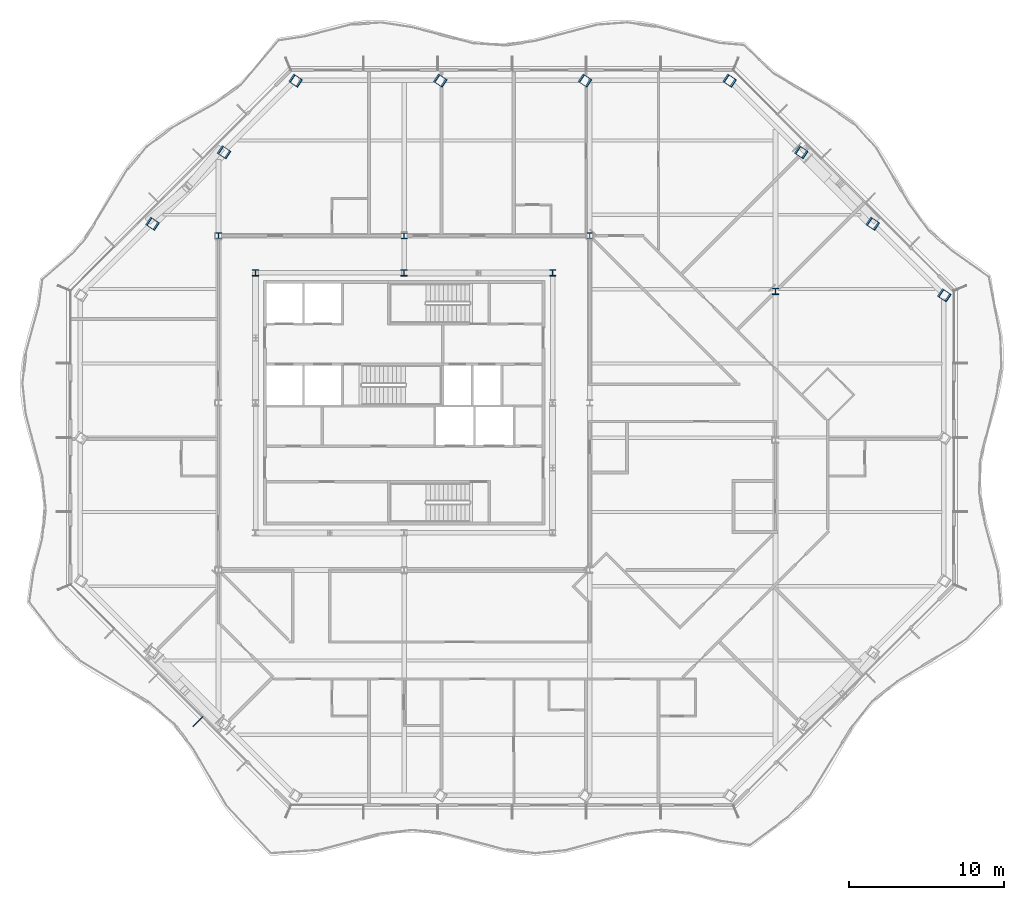
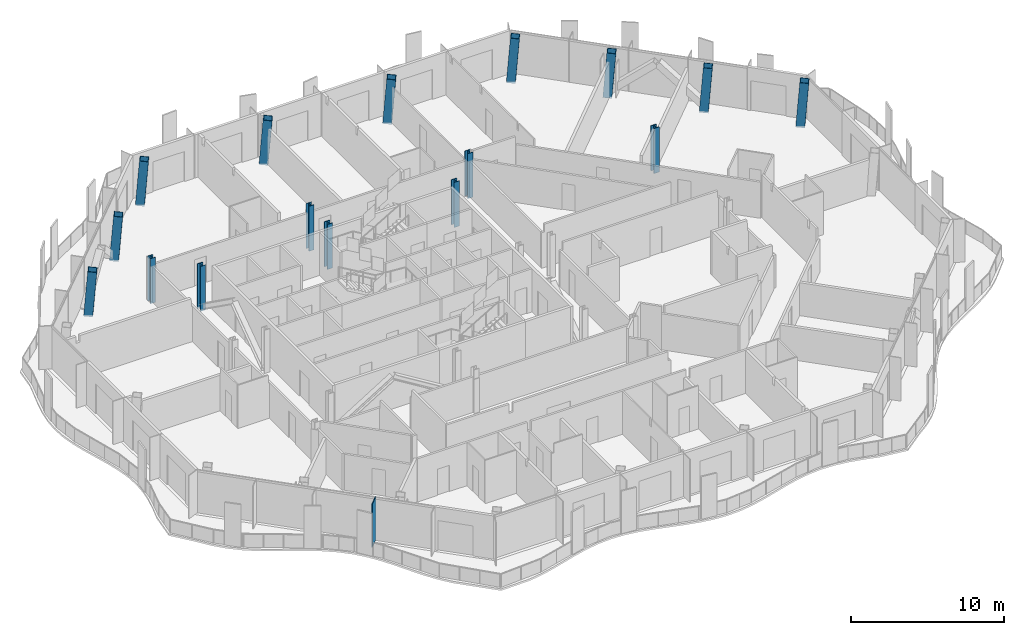
# One storey, part 2 of 19: 16 columns, 1 member, 1 element without a shape of its own.
"""IFC4 building model written with IfcOpenShell, lengths in metres."""

from ifc_helpers import new_model, si_unit, direction, frame, origin, origin_2d, place, context, subcontext, project, spatial, rectangle, hollow_rectangle, i_section, extrude, clip, halfspace, material, material_profile, profile_set, type_object, element, aggregate, save


model = new_model("IFC4")

# Units and contexts
model_context = context("Model", 3, precision=1e-05, world=origin(), true_north=direction((0.0, 1.0)))
body_context = subcontext(model_context, "Body", "Model", "MODEL_VIEW")
ifc_project = project(units=[si_unit("LENGTHUNIT", "METRE"), si_unit("AREAUNIT", "SQUARE_METRE"), si_unit("VOLUMEUNIT", "CUBIC_METRE"), si_unit("PLANEANGLEUNIT", "RADIAN"), si_unit("MASSUNIT", "GRAM", prefix="KILO")], contexts=[model_context])

# Site, building, storey
site_placement = place(None, origin())
site = spatial("IfcSite", under=ifc_project, at=site_placement, CompositionType="ELEMENT")
building_placement = place(site_placement, origin())
building = spatial("IfcBuilding", under=site, at=building_placement, Name="Cairn Pilgrim Tower", CompositionType="ELEMENT")
storey_placement = place(building_placement, frame((0.0, 0.0, 197.39990234375)))
storey = spatial("IfcBuildingStorey", under=building, at=storey_placement, Name="L50", CompositionType="ELEMENT", Elevation=197.39990234375)

# Columns
ifc_material_1 = material(Name="Structural steel S460M", Category="steel")
ifc_material_profile_1 = material_profile(ifc_material_1, hollow_rectangle(XDim=0.60009765625, YDim=0.60009765625, WallThickness=0.034912109375, at=origin_2d()), Name="BOX 600x600x35")
ifc_profile_set_1 = profile_set([ifc_material_profile_1], Name="Structural steel S460M")
column_type_1 = type_object("IfcColumnType", Name="BOX 600x600x35", PredefinedType="COLUMN", material=ifc_profile_set_1)
for number, where, z_axis, x_axis, name in (
    (1, (42.074951171875, 9.377197265625, -0.14990234375), (0.062349752476, -0.041521418677, 0.997190292851), (0.554283476609, 0.832327956732, 0.0), "PC2-NE1"),
    (2, (37.45068359375, 14.00146484375, -0.14990234375), (0.062349752476, -0.041521418677, 0.997190292851), (0.554283476609, 0.832327956732, 0.0), "PC2-NE2"),
    (3, (32.826416015625, 18.625732421875, -0.14990234375), (0.062349577264, -0.041588926266, 0.997187490609), (0.554908399644, 0.831911454426, 0.0), "PC2-NE3"),
    (4, (28.2021484375, 23.25, -0.14990234375), (0.062349752476, -0.041521418677, 0.997190292851), (0.554283476609, 0.832327956732, 0.0), "PC2-N1"),
    (5, (18.8505859375, 23.25, -0.14990234375), (0.062349752476, -0.041521418677, 0.997190292851), (0.554283476609, 0.832327956732, 0.0), "PC2-N2"),
    (6, (9.499267578125, 23.25, -0.14990234375), (0.062349752476, -0.041521418677, 0.997190292851), (0.554283476609, 0.832327956732, 0.0), "PC2-N3"),
    (7, (0.147705078125, 23.25, -0.14990234375), (0.062349752476, -0.041521418677, 0.997190292851), (0.554283476609, 0.832327956732, 0.0), "PC2-NW1"),
    (8, (-4.4765625, 18.625732421875, -0.14990234375), (0.062349577264, -0.041588926266, 0.997187490609), (0.554908399644, 0.831911454426, 0.0), "PC2-NW2"),
):
    element("IfcColumn", number, at=place(storey_placement, frame(where, z_axis=z_axis, x_axis=x_axis)), inside=storey, type_object=column_type_1, Name=name, PredefinedType="COLUMN", context=body_context, shape_type="Clipping", body=[
        clip(clip(extrude(hollow_rectangle(XDim=0.60009765625, YDim=0.60009765625, WallThickness=0.034912109375, at=origin_2d()), origin(), (0.0, 0.0, 1.0), 3.6103515625), halfspace(frame((0.0, 0.0, 0.02197265625), z_axis=(0.0, 0.0, 1.0), x_axis=(1.0, 0.0, 0.0)), True)), halfspace(frame((0.0, 0.0, 3.59912109375), z_axis=(0.0, 0.0, 1.0), x_axis=(1.0, 0.0, 0.0)), False)),
    ])
column_1_placement = place(storey_placement, frame((-9.1005859375, 14.00146484375, -0.14990234375), z_axis=(0.062282390479, -0.041521593653, 0.99719449512), x_axis=(0.554700196225, 0.832050294338, 0.0)))
element("IfcColumn", 9, at=column_1_placement, inside=storey, type_object=column_type_1, Name="PC2-NW3", PredefinedType="COLUMN", context=body_context, shape_type="Clipping", body=[
    clip(clip(extrude(hollow_rectangle(XDim=0.60009765625, YDim=0.60009765625, WallThickness=0.034912109375, at=origin_2d()), origin(), (0.0, 0.0, 1.0), 3.610107421875), halfspace(frame((0.0, 0.0, 0.02197265625), z_axis=(0.0, 0.0, 1.0), x_axis=(1.0, 0.0, 0.0)), True)), halfspace(frame((0.0, 0.0, 3.59912109375), z_axis=(0.0, 0.0, 1.0), x_axis=(1.0, 0.0, 0.0)), False)),
])
ifc_material_2 = material(Name="Structural steel S355J2", Category="steel")
ifc_material_profile_2 = material_profile(ifc_material_2, i_section(OverallWidth=0.39892578125, OverallDepth=0.39306640625, WebThickness=0.022705078125, FlangeThickness=0.03662109375, FilletRadius=0.014892578125, at=origin_2d()), Name="HD 400x287")
ifc_profile_set_2 = profile_set([ifc_material_profile_2], Name="Structural steel S355J2")
column_type_2 = type_object("IfcColumnType", Name="HD 400x287", PredefinedType="COLUMN", material=ifc_profile_set_2)
for number, where, z_axis, x_axis, name in (
    (10, (-4.800048828125, 13.199951171875, -0.14990234375), (0.0, 0.0, 1.0), (1.0, 0.0, 0.0), "IC-6"),
    (11, (7.199951171875, 13.199951171875, -0.14990234375), (0.0, 0.0, 1.0), (1.0, 0.0, 0.0), "IC-7"),
    (12, (19.199951171875, 13.199951171875, -0.14990234375), (0.0, 0.0, 1.0), (1.0, 0.0, 0.0), "IC-8"),
):
    element("IfcColumn", number, at=place(storey_placement, frame(where, z_axis=z_axis, x_axis=x_axis)), inside=storey, type_object=column_type_2, Name=name, PredefinedType="COLUMN", context=body_context, shape_type="SweptSolid", body=[
        extrude(i_section(OverallWidth=0.39892578125, OverallDepth=0.39306640625, WebThickness=0.022705078125, FlangeThickness=0.03662109375, FilletRadius=0.014892578125, at=origin_2d()), origin(), (0.0, 0.0, 1.0), 3.60009765625),
    ])
ifc_material_profile_3 = material_profile(ifc_material_1, i_section(OverallWidth=0.404052734375, OverallDepth=0.406982421875, WebThickness=0.027099609375, FlangeThickness=0.043701171875, FilletRadius=0.014892578125, at=origin_2d()), Name="HD 400x347")
ifc_profile_set_3 = profile_set([ifc_material_profile_3], Name="Structural steel S460M")
column_type_3 = type_object("IfcColumnType", Name="HD 400x347", PredefinedType="COLUMN", material=ifc_profile_set_3)
for number, where, z_axis, x_axis, name in (
    (13, (-2.39990234375, 10.800048828125, -0.14990234375), (0.0, 0.0, 1.0), (1.0, 0.0, 0.0), "KC-6"),
    (14, (7.199951171875, 10.800048828125, -0.14990234375), (0.0, 0.0, 1.0), (1.0, 0.0, 0.0), "KC-7"),
    (15, (16.800048828125, 10.800048828125, -0.14990234375), (0.0, 0.0, 1.0), (1.0, 0.0, 0.0), "KC-8"),
):
    element("IfcColumn", number, at=place(storey_placement, frame(where, z_axis=z_axis, x_axis=x_axis)), inside=storey, type_object=column_type_3, Name=name, PredefinedType="COLUMN", context=body_context, shape_type="SweptSolid", body=[
        extrude(i_section(OverallWidth=0.404052734375, OverallDepth=0.406982421875, WebThickness=0.027099609375, FlangeThickness=0.043701171875, FilletRadius=0.014892578125, at=origin_2d()), origin(), (0.0, 0.0, 1.0), 3.60009765625),
    ])
ifc_material_profile_4 = material_profile(ifc_material_1, i_section(OverallWidth=0.408935546875, OverallDepth=0.425048828125, WebThickness=0.03271484375, FlangeThickness=0.052490234375, FilletRadius=0.014892578125, at=origin_2d()), Name="HD 400x421")
ifc_profile_set_4 = profile_set([ifc_material_profile_4], Name="Structural steel S460M")
column_type_4 = type_object("IfcColumnType", Name="HD 400x421", PredefinedType="COLUMN", material=ifc_profile_set_4)
column_2_placement = place(storey_placement, frame((31.199951171875, 9.60009765625, -0.14990234375), z_axis=(0.0, 0.0, 1.0), x_axis=(1.0, 0.0, 0.0)))
element("IfcColumn", 16, at=column_2_placement, inside=storey, type_object=column_type_4, Name="WC-WE+2", PredefinedType="COLUMN", context=body_context, shape_type="SweptSolid", body=[
    extrude(i_section(OverallWidth=0.408935546875, OverallDepth=0.425048828125, WebThickness=0.03271484375, FlangeThickness=0.052490234375, FilletRadius=0.014892578125, at=origin_2d()), origin(), (0.0, 0.0, 1.0), 3.60009765625),
])

# Curtain wall, member
ifc_material_3 = material(Name="Aluminium alloy 6063-T6 bronze anodised with Bronze tinted laminated low-E glass 8+16+8.8", Category="aluminium")
curtain_wall_type = type_object("IfcCurtainWallType", Name="CHAMFER CORNER CURTAIN WALL", PredefinedType="NOTDEFINED", material=ifc_material_3)
curtain_wall_placement = place(storey_placement, origin())
curtain_wall = element("IfcCurtainWall", 17, at=curtain_wall_placement, inside=storey, type_object=curtain_wall_type, Name="Chamfer Corner Curtain Wall SW", PredefinedType="NOTDEFINED")
ifc_material_4 = material(Name="Aluminium alloy 6063-T6 bronze anodised", Category="aluminium")
ifc_material_profile_5 = material_profile(ifc_material_4, rectangle(XDim=0.89990234375, YDim=0.06005859375, at=origin_2d()), Name="FIN MULLION 60x900 BRONZE")
ifc_profile_set_5 = profile_set([ifc_material_profile_5], Name="Aluminium alloy 6063-T6 bronze anodised")
member_type = type_object("IfcMemberType", Name="FIN MULLION 60x900 BRONZE", PredefinedType="MULLION", material=ifc_profile_set_5)
member_placement = place(storey_placement, frame((-6.119873046875, -18.195556640625, 0.0), z_axis=(0.0, 0.0, 1.0), x_axis=(-0.707106781187, -0.707106781187, 0.0)))
member = element("IfcMember", 18, at=member_placement, type_object=member_type, Name="Fin mullion SW4", PredefinedType="MULLION", context=body_context, shape_type="SweptSolid", body=[
    extrude(rectangle(XDim=0.89990234375, YDim=0.06005859375, at=origin_2d()), origin(), (0.0, 0.0, 1.0), 3.4501953125),
])
aggregate(curtain_wall, [member])

save(model, "model.ifc")
